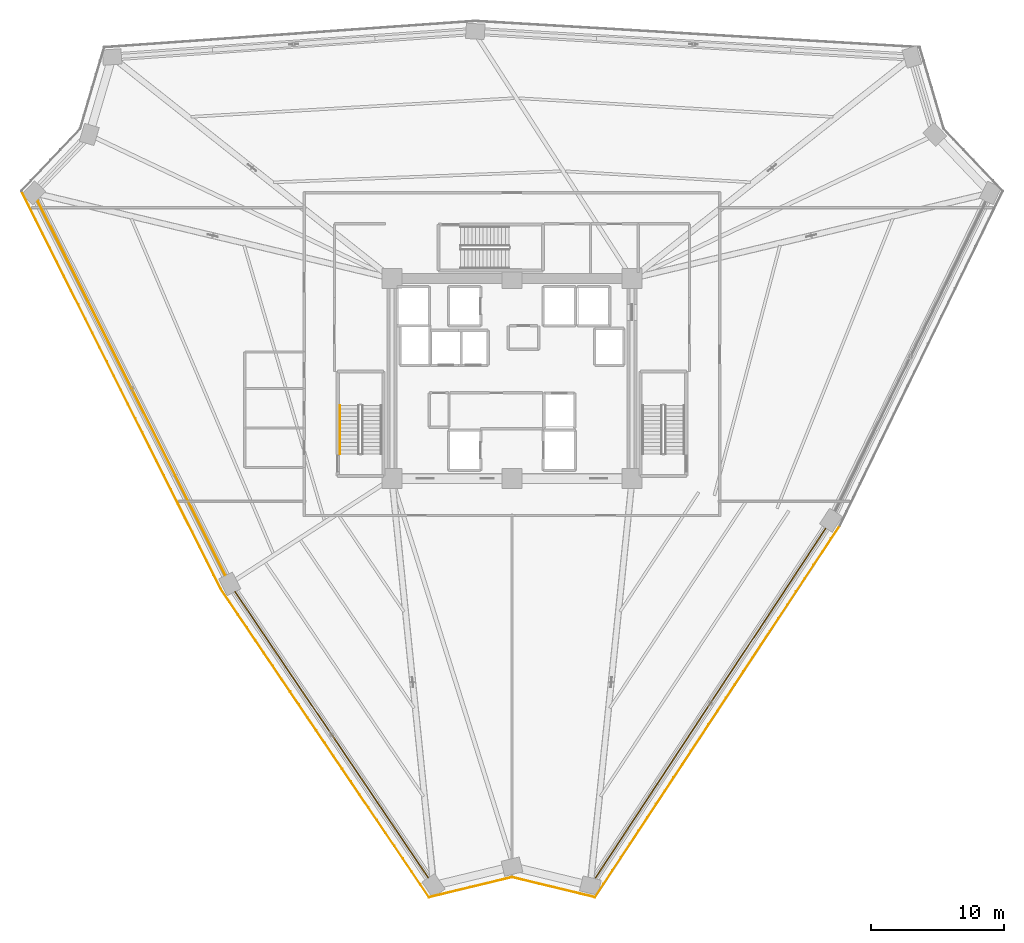
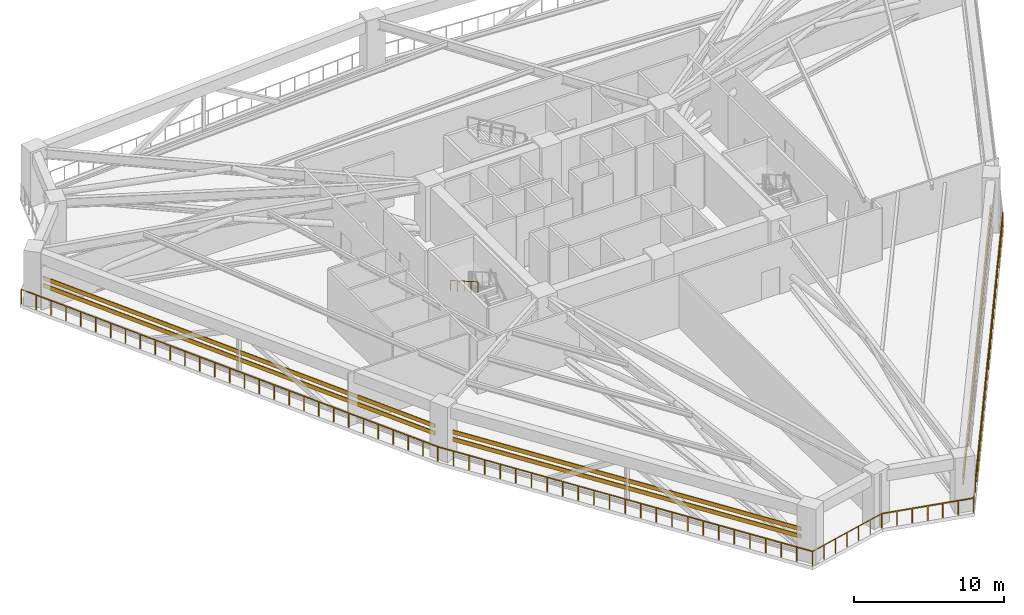
# One storey, part 19 of 23: 6 railings, 6 shading devices.
"""IFC4 building model written with IfcOpenShell, lengths in metres."""

from ifc_helpers import new_model, si_unit, direction, frame, origin, origin_2d, place, context, subcontext, project, spatial, rectangle, extrude, source, transform, mapped, material, material_profile, profile_set, type_object, element, save


model = new_model("IFC4")

# Units and contexts
model_context = context("Model", 3, precision=1e-05, world=origin(), true_north=direction((0.0, 1.0)))
body_context = subcontext(model_context, "Body", "Model", "MODEL_VIEW")
ifc_project = project(units=[si_unit("LENGTHUNIT", "METRE"), si_unit("AREAUNIT", "SQUARE_METRE"), si_unit("VOLUMEUNIT", "CUBIC_METRE"), si_unit("PLANEANGLEUNIT", "RADIAN"), si_unit("MASSUNIT", "GRAM", prefix="KILO")], contexts=[model_context])

# Site, building, storey
site_placement = place(None, origin())
site = spatial("IfcSite", under=ifc_project, at=site_placement, CompositionType="ELEMENT")
building_placement = place(site_placement, origin())
building = spatial("IfcBuilding", under=site, at=building_placement, Name="Liaohun Quay Tower", CompositionType="ELEMENT")
storey_placement = place(building_placement, frame((0.0, 0.0, 139.5)))
storey = spatial("IfcBuildingStorey", under=building, at=storey_placement, Name="L36", CompositionType="ELEMENT", Elevation=139.5)

# Railings
ifc_material_1 = material(Name="Galvanised and powder-coated steel", Category="steel")
railing_type_1 = type_object("IfcRailingType", Name="RLG-GUARD-EXT", PredefinedType="GUARDRAIL", material=ifc_material_1)
railing_1_placement = place(storey_placement, frame((53.783935546875, 15.14111328125, 0.0)))
element("IfcRailing", 1, at=railing_1_placement, inside=storey, type_object=railing_type_1, Name="L36 Open Refuge Band Perimeter Guardrail 01", PredefinedType="GUARDRAIL", context=body_context, shape_type="SweptSolid", body=[
    extrude(rectangle(XDim=0.048095703125, YDim=0.048095703125, at=origin_2d()), frame((0.0, 0.0, 1.17578125), z_axis=(-0.55979188008, 0.828633242754, 0.0), x_axis=(-0.828633242754, -0.55979188008, 0.0)), (0.0, 0.0, 1.0), 27.8603515625),
    extrude(rectangle(XDim=0.0419921875, YDim=0.0419921875, at=origin_2d()), origin(), (0.0, 0.0, 1.0), 1.15185546875),
    extrude(rectangle(XDim=0.0419921875, YDim=0.0419921875, at=origin_2d()), frame((-0.64990234375, 0.9619140625, 0.0)), (0.0, 0.0, 1.0), 1.15185546875),
    extrude(rectangle(XDim=0.0419921875, YDim=0.0419921875, at=origin_2d()), frame((-1.299560546875, 1.923828125, 0.0)), (0.0, 0.0, 1.0), 1.15185546875),
    extrude(rectangle(XDim=0.0419921875, YDim=0.0419921875, at=origin_2d()), frame((-1.949462890625, 2.8857421875, 0.0)), (0.0, 0.0, 1.0), 1.15185546875),
    extrude(rectangle(XDim=0.0419921875, YDim=0.0419921875, at=origin_2d()), frame((-2.599365234375, 3.84765625, 0.0)), (0.0, 0.0, 1.0), 1.15185546875),
    extrude(rectangle(XDim=0.0419921875, YDim=0.0419921875, at=origin_2d()), frame((-3.249267578125, 4.8095703125, 0.0)), (0.0, 0.0, 1.0), 1.15185546875),
    extrude(rectangle(XDim=0.0419921875, YDim=0.0419921875, at=origin_2d()), frame((-3.89892578125, 5.771484375, 0.0)), (0.0, 0.0, 1.0), 1.15185546875),
    extrude(rectangle(XDim=0.0419921875, YDim=0.0419921875, at=origin_2d()), frame((-4.548828125, 6.7333984375, 0.0)), (0.0, 0.0, 1.0), 1.15185546875),
    extrude(rectangle(XDim=0.0419921875, YDim=0.0419921875, at=origin_2d()), frame((-5.19873046875, 7.6953125, 0.0)), (0.0, 0.0, 1.0), 1.15185546875),
    extrude(rectangle(XDim=0.0419921875, YDim=0.0419921875, at=origin_2d()), frame((-5.848388671875, 8.6572265625, 0.0)), (0.0, 0.0, 1.0), 1.15185546875),
    extrude(rectangle(XDim=0.0419921875, YDim=0.0419921875, at=origin_2d()), frame((-6.498291015625, 9.619140625, 0.0)), (0.0, 0.0, 1.0), 1.15185546875),
    extrude(rectangle(XDim=0.0419921875, YDim=0.0419921875, at=origin_2d()), frame((-7.148193359375, 10.5810546875, 0.0)), (0.0, 0.0, 1.0), 1.15185546875),
    extrude(rectangle(XDim=0.0419921875, YDim=0.0419921875, at=origin_2d()), frame((-7.7978515625, 11.54296875, 0.0)), (0.0, 0.0, 1.0), 1.15185546875),
    extrude(rectangle(XDim=0.0419921875, YDim=0.0419921875, at=origin_2d()), frame((-8.44775390625, 12.5048828125, 0.0)), (0.0, 0.0, 1.0), 1.15185546875),
    extrude(rectangle(XDim=0.0419921875, YDim=0.0419921875, at=origin_2d()), frame((-9.09765625, 13.466796875, 0.0)), (0.0, 0.0, 1.0), 1.15185546875),
    extrude(rectangle(XDim=0.0419921875, YDim=0.0419921875, at=origin_2d()), frame((-9.74755859375, 14.4287109375, 0.0)), (0.0, 0.0, 1.0), 1.15185546875),
    extrude(rectangle(XDim=0.0419921875, YDim=0.0419921875, at=origin_2d()), frame((-10.397216796875, 15.390625, 0.0)), (0.0, 0.0, 1.0), 1.15185546875),
    extrude(rectangle(XDim=0.0419921875, YDim=0.0419921875, at=origin_2d()), frame((-11.047119140625, 16.3525390625, 0.0)), (0.0, 0.0, 1.0), 1.15185546875),
    extrude(rectangle(XDim=0.0419921875, YDim=0.0419921875, at=origin_2d()), frame((-11.697021484375, 17.314453125, 0.0)), (0.0, 0.0, 1.0), 1.15185546875),
    extrude(rectangle(XDim=0.0419921875, YDim=0.0419921875, at=origin_2d()), frame((-12.3466796875, 18.2763671875, 0.0)), (0.0, 0.0, 1.0), 1.15185546875),
    extrude(rectangle(XDim=0.0419921875, YDim=0.0419921875, at=origin_2d()), frame((-12.99658203125, 19.23828125, 0.0)), (0.0, 0.0, 1.0), 1.15185546875),
    extrude(rectangle(XDim=0.0419921875, YDim=0.0419921875, at=origin_2d()), frame((-13.646484375, 20.2001953125, 0.0)), (0.0, 0.0, 1.0), 1.15185546875),
    extrude(rectangle(XDim=0.0419921875, YDim=0.0419921875, at=origin_2d()), frame((-14.29638671875, 21.162109375, 0.0)), (0.0, 0.0, 1.0), 1.15185546875),
    extrude(rectangle(XDim=0.0419921875, YDim=0.0419921875, at=origin_2d()), frame((-14.946044921875, 22.1240234375, 0.0)), (0.0, 0.0, 1.0), 1.15185546875),
    extrude(rectangle(XDim=0.0419921875, YDim=0.0419921875, at=origin_2d()), frame((-15.595947265625, 23.0859375, 0.0)), (0.0, 0.0, 1.0), 1.15185546875),
])
railing_2_placement = place(storey_placement, frame((38.18798828125, 38.22705078125, 0.0)))
element("IfcRailing", 2, at=railing_2_placement, inside=storey, type_object=railing_type_1, Name="L36 Open Refuge Band Perimeter Guardrail 02", PredefinedType="GUARDRAIL", context=body_context, shape_type="SweptSolid", body=[
    extrude(rectangle(XDim=0.048095703125, YDim=0.048095703125, at=origin_2d()), frame((0.0, 0.0, 1.17578125), z_axis=(-0.448112126303, 0.893977361156, 0.0), x_axis=(-0.893977361156, -0.448112126303, 0.0)), (0.0, 0.0, 1.0), 33.357666015625),
    extrude(rectangle(XDim=0.0419921875, YDim=0.0419921875, at=origin_2d()), origin(), (0.0, 0.0, 1.0), 1.15185546875),
    extrude(rectangle(XDim=0.0419921875, YDim=0.0419921875, at=origin_2d()), frame((-0.533935546875, 1.06494140625, 0.0)), (0.0, 0.0, 1.0), 1.15185546875),
    extrude(rectangle(XDim=0.0419921875, YDim=0.0419921875, at=origin_2d()), frame((-1.067626953125, 2.130126953125, 0.0)), (0.0, 0.0, 1.0), 1.15185546875),
    extrude(rectangle(XDim=0.0419921875, YDim=0.0419921875, at=origin_2d()), frame((-1.6015625, 3.195068359375, 0.0)), (0.0, 0.0, 1.0), 1.15185546875),
    extrude(rectangle(XDim=0.0419921875, YDim=0.0419921875, at=origin_2d()), frame((-2.135498046875, 4.26025390625, 0.0)), (0.0, 0.0, 1.0), 1.15185546875),
    extrude(rectangle(XDim=0.0419921875, YDim=0.0419921875, at=origin_2d()), frame((-2.669189453125, 5.3251953125, 0.0)), (0.0, 0.0, 1.0), 1.15185546875),
    extrude(rectangle(XDim=0.0419921875, YDim=0.0419921875, at=origin_2d()), frame((-3.203125, 6.39013671875, 0.0)), (0.0, 0.0, 1.0), 1.15185546875),
    extrude(rectangle(XDim=0.0419921875, YDim=0.0419921875, at=origin_2d()), frame((-3.737060546875, 7.455322265625, 0.0)), (0.0, 0.0, 1.0), 1.15185546875),
    extrude(rectangle(XDim=0.0419921875, YDim=0.0419921875, at=origin_2d()), frame((-4.270751953125, 8.520263671875, 0.0)), (0.0, 0.0, 1.0), 1.15185546875),
    extrude(rectangle(XDim=0.0419921875, YDim=0.0419921875, at=origin_2d()), frame((-4.8046875, 9.58544921875, 0.0)), (0.0, 0.0, 1.0), 1.15185546875),
    extrude(rectangle(XDim=0.0419921875, YDim=0.0419921875, at=origin_2d()), frame((-5.338623046875, 10.650390625, 0.0)), (0.0, 0.0, 1.0), 1.15185546875),
    extrude(rectangle(XDim=0.0419921875, YDim=0.0419921875, at=origin_2d()), frame((-5.872314453125, 11.71533203125, 0.0)), (0.0, 0.0, 1.0), 1.15185546875),
    extrude(rectangle(XDim=0.0419921875, YDim=0.0419921875, at=origin_2d()), frame((-6.40625, 12.780517578125, 0.0)), (0.0, 0.0, 1.0), 1.15185546875),
    extrude(rectangle(XDim=0.0419921875, YDim=0.0419921875, at=origin_2d()), frame((-6.940185546875, 13.845458984375, 0.0)), (0.0, 0.0, 1.0), 1.15185546875),
    extrude(rectangle(XDim=0.0419921875, YDim=0.0419921875, at=origin_2d()), frame((-7.47412109375, 14.91064453125, 0.0)), (0.0, 0.0, 1.0), 1.15185546875),
    extrude(rectangle(XDim=0.0419921875, YDim=0.0419921875, at=origin_2d()), frame((-8.0078125, 15.9755859375, 0.0)), (0.0, 0.0, 1.0), 1.15185546875),
    extrude(rectangle(XDim=0.0419921875, YDim=0.0419921875, at=origin_2d()), frame((-8.541748046875, 17.04052734375, 0.0)), (0.0, 0.0, 1.0), 1.15185546875),
    extrude(rectangle(XDim=0.0419921875, YDim=0.0419921875, at=origin_2d()), frame((-9.07568359375, 18.105712890625, 0.0)), (0.0, 0.0, 1.0), 1.15185546875),
    extrude(rectangle(XDim=0.0419921875, YDim=0.0419921875, at=origin_2d()), frame((-9.609375, 19.170654296875, 0.0)), (0.0, 0.0, 1.0), 1.15185546875),
    extrude(rectangle(XDim=0.0419921875, YDim=0.0419921875, at=origin_2d()), frame((-10.143310546875, 20.235595703125, 0.0)), (0.0, 0.0, 1.0), 1.15185546875),
    extrude(rectangle(XDim=0.0419921875, YDim=0.0419921875, at=origin_2d()), frame((-10.67724609375, 21.30078125, 0.0)), (0.0, 0.0, 1.0), 1.15185546875),
    extrude(rectangle(XDim=0.0419921875, YDim=0.0419921875, at=origin_2d()), frame((-11.2109375, 22.36572265625, 0.0)), (0.0, 0.0, 1.0), 1.15185546875),
    extrude(rectangle(XDim=0.0419921875, YDim=0.0419921875, at=origin_2d()), frame((-11.744873046875, 23.430908203125, 0.0)), (0.0, 0.0, 1.0), 1.15185546875),
    extrude(rectangle(XDim=0.0419921875, YDim=0.0419921875, at=origin_2d()), frame((-12.27880859375, 24.495849609375, 0.0)), (0.0, 0.0, 1.0), 1.15185546875),
    extrude(rectangle(XDim=0.0419921875, YDim=0.0419921875, at=origin_2d()), frame((-12.8125, 25.560791015625, 0.0)), (0.0, 0.0, 1.0), 1.15185546875),
    extrude(rectangle(XDim=0.0419921875, YDim=0.0419921875, at=origin_2d()), frame((-13.346435546875, 26.6259765625, 0.0)), (0.0, 0.0, 1.0), 1.15185546875),
    extrude(rectangle(XDim=0.0419921875, YDim=0.0419921875, at=origin_2d()), frame((-13.88037109375, 27.69091796875, 0.0)), (0.0, 0.0, 1.0), 1.15185546875),
    extrude(rectangle(XDim=0.0419921875, YDim=0.0419921875, at=origin_2d()), frame((-14.4140625, 28.756103515625, 0.0)), (0.0, 0.0, 1.0), 1.15185546875),
    extrude(rectangle(XDim=0.0419921875, YDim=0.0419921875, at=origin_2d()), frame((-14.947998046875, 29.821044921875, 0.0)), (0.0, 0.0, 1.0), 1.15185546875),
])
railing_3_placement = place(storey_placement, frame((84.56494140625, 42.998046875, 0.0)))
element("IfcRailing", 3, at=railing_3_placement, inside=storey, type_object=railing_type_1, Name="L36 Open Refuge Band Perimeter Guardrail 10", PredefinedType="GUARDRAIL", context=body_context, shape_type="SweptSolid", body=[
    extrude(rectangle(XDim=0.048095703125, YDim=0.048095703125, at=origin_2d()), frame((0.0, 0.0, 1.17578125), z_axis=(-0.550096027174, -0.835101407547, 0.0), x_axis=(0.835101407547, -0.550096027174, 0.0)), (0.0, 0.0, 1.0), 33.357666015625),
    extrude(rectangle(XDim=0.0419921875, YDim=0.0419921875, at=origin_2d()), origin(), (0.0, 0.0, 1.0), 1.15185546875),
    extrude(rectangle(XDim=0.0419921875, YDim=0.0419921875, at=origin_2d()), frame((-0.6552734375, -0.994873046875, 0.0)), (0.0, 0.0, 1.0), 1.15185546875),
    extrude(rectangle(XDim=0.0419921875, YDim=0.0419921875, at=origin_2d()), frame((-1.310791015625, -1.98974609375, 0.0)), (0.0, 0.0, 1.0), 1.15185546875),
    extrude(rectangle(XDim=0.0419921875, YDim=0.0419921875, at=origin_2d()), frame((-1.966064453125, -2.984619140625, 0.0)), (0.0, 0.0, 1.0), 1.15185546875),
    extrude(rectangle(XDim=0.0419921875, YDim=0.0419921875, at=origin_2d()), frame((-2.621337890625, -3.9794921875, 0.0)), (0.0, 0.0, 1.0), 1.15185546875),
    extrude(rectangle(XDim=0.0419921875, YDim=0.0419921875, at=origin_2d()), frame((-3.27685546875, -4.974365234375, 0.0)), (0.0, 0.0, 1.0), 1.15185546875),
    extrude(rectangle(XDim=0.0419921875, YDim=0.0419921875, at=origin_2d()), frame((-3.93212890625, -5.96923828125, 0.0)), (0.0, 0.0, 1.0), 1.15185546875),
    extrude(rectangle(XDim=0.0419921875, YDim=0.0419921875, at=origin_2d()), frame((-4.58740234375, -6.96435546875, 0.0)), (0.0, 0.0, 1.0), 1.15185546875),
    extrude(rectangle(XDim=0.0419921875, YDim=0.0419921875, at=origin_2d()), frame((-5.242919921875, -7.959228515625, 0.0)), (0.0, 0.0, 1.0), 1.15185546875),
    extrude(rectangle(XDim=0.0419921875, YDim=0.0419921875, at=origin_2d()), frame((-5.898193359375, -8.9541015625, 0.0)), (0.0, 0.0, 1.0), 1.15185546875),
    extrude(rectangle(XDim=0.0419921875, YDim=0.0419921875, at=origin_2d()), frame((-6.553466796875, -9.948974609375, 0.0)), (0.0, 0.0, 1.0), 1.15185546875),
    extrude(rectangle(XDim=0.0419921875, YDim=0.0419921875, at=origin_2d()), frame((-7.208984375, -10.94384765625, 0.0)), (0.0, 0.0, 1.0), 1.15185546875),
    extrude(rectangle(XDim=0.0419921875, YDim=0.0419921875, at=origin_2d()), frame((-7.8642578125, -11.938720703125, 0.0)), (0.0, 0.0, 1.0), 1.15185546875),
    extrude(rectangle(XDim=0.0419921875, YDim=0.0419921875, at=origin_2d()), frame((-8.51953125, -12.93359375, 0.0)), (0.0, 0.0, 1.0), 1.15185546875),
    extrude(rectangle(XDim=0.0419921875, YDim=0.0419921875, at=origin_2d()), frame((-9.1748046875, -13.928466796875, 0.0)), (0.0, 0.0, 1.0), 1.15185546875),
    extrude(rectangle(XDim=0.0419921875, YDim=0.0419921875, at=origin_2d()), frame((-9.830322265625, -14.92333984375, 0.0)), (0.0, 0.0, 1.0), 1.15185546875),
    extrude(rectangle(XDim=0.0419921875, YDim=0.0419921875, at=origin_2d()), frame((-10.485595703125, -15.918212890625, 0.0)), (0.0, 0.0, 1.0), 1.15185546875),
    extrude(rectangle(XDim=0.0419921875, YDim=0.0419921875, at=origin_2d()), frame((-11.140869140625, -16.9130859375, 0.0)), (0.0, 0.0, 1.0), 1.15185546875),
    extrude(rectangle(XDim=0.0419921875, YDim=0.0419921875, at=origin_2d()), frame((-11.79638671875, -17.907958984375, 0.0)), (0.0, 0.0, 1.0), 1.15185546875),
    extrude(rectangle(XDim=0.0419921875, YDim=0.0419921875, at=origin_2d()), frame((-12.45166015625, -18.90283203125, 0.0)), (0.0, 0.0, 1.0), 1.15185546875),
    extrude(rectangle(XDim=0.0419921875, YDim=0.0419921875, at=origin_2d()), frame((-13.10693359375, -19.897705078125, 0.0)), (0.0, 0.0, 1.0), 1.15185546875),
    extrude(rectangle(XDim=0.0419921875, YDim=0.0419921875, at=origin_2d()), frame((-13.762451171875, -20.892578125, 0.0)), (0.0, 0.0, 1.0), 1.15185546875),
    extrude(rectangle(XDim=0.0419921875, YDim=0.0419921875, at=origin_2d()), frame((-14.417724609375, -21.8876953125, 0.0)), (0.0, 0.0, 1.0), 1.15185546875),
    extrude(rectangle(XDim=0.0419921875, YDim=0.0419921875, at=origin_2d()), frame((-15.072998046875, -22.882568359375, 0.0)), (0.0, 0.0, 1.0), 1.15185546875),
    extrude(rectangle(XDim=0.0419921875, YDim=0.0419921875, at=origin_2d()), frame((-15.728515625, -23.87744140625, 0.0)), (0.0, 0.0, 1.0), 1.15185546875),
    extrude(rectangle(XDim=0.0419921875, YDim=0.0419921875, at=origin_2d()), frame((-16.3837890625, -24.872314453125, 0.0)), (0.0, 0.0, 1.0), 1.15185546875),
    extrude(rectangle(XDim=0.0419921875, YDim=0.0419921875, at=origin_2d()), frame((-17.0390625, -25.8671875, 0.0)), (0.0, 0.0, 1.0), 1.15185546875),
    extrude(rectangle(XDim=0.0419921875, YDim=0.0419921875, at=origin_2d()), frame((-17.694580078125, -26.862060546875, 0.0)), (0.0, 0.0, 1.0), 1.15185546875),
    extrude(rectangle(XDim=0.0419921875, YDim=0.0419921875, at=origin_2d()), frame((-18.349853515625, -27.85693359375, 0.0)), (0.0, 0.0, 1.0), 1.15185546875),
])
railing_4_placement = place(storey_placement, frame((66.215087890625, 15.14111328125, 0.0)))
element("IfcRailing", 4, at=railing_4_placement, inside=storey, type_object=railing_type_1, Name="L36 Open Refuge Band Perimeter Guardrail 11", PredefinedType="GUARDRAIL", context=body_context, shape_type="SweptSolid", body=[
    extrude(rectangle(XDim=0.048095703125, YDim=0.048095703125, at=origin_2d()), frame((0.0, 0.0, 1.17578125), z_axis=(-0.972054271472, 0.234756242331, 0.0), x_axis=(-0.234756242331, -0.972054271472, 0.0)), (0.0, 0.0, 1.0), 6.393798828125),
    extrude(rectangle(XDim=0.0419921875, YDim=0.0419921875, at=origin_2d()), origin(), (0.0, 0.0, 1.0), 1.15185546875),
    extrude(rectangle(XDim=0.0419921875, YDim=0.0419921875, at=origin_2d()), frame((-1.035888671875, 0.250244140625, 0.0)), (0.0, 0.0, 1.0), 1.15185546875),
    extrude(rectangle(XDim=0.0419921875, YDim=0.0419921875, at=origin_2d()), frame((-2.07177734375, 0.500244140625, 0.0)), (0.0, 0.0, 1.0), 1.15185546875),
    extrude(rectangle(XDim=0.0419921875, YDim=0.0419921875, at=origin_2d()), frame((-3.107421875, 0.75048828125, 0.0)), (0.0, 0.0, 1.0), 1.15185546875),
    extrude(rectangle(XDim=0.0419921875, YDim=0.0419921875, at=origin_2d()), frame((-4.143310546875, 1.000732421875, 0.0)), (0.0, 0.0, 1.0), 1.15185546875),
    extrude(rectangle(XDim=0.0419921875, YDim=0.0419921875, at=origin_2d()), frame((-5.17919921875, 1.250732421875, 0.0)), (0.0, 0.0, 1.0), 1.15185546875),
    extrude(rectangle(XDim=0.0419921875, YDim=0.0419921875, at=origin_2d()), frame((-6.215087890625, 1.5009765625, 0.0)), (0.0, 0.0, 1.0), 1.15185546875),
])
railing_5_placement = place(storey_placement, frame((60.0, 16.64208984375, 0.0)))
element("IfcRailing", 5, at=railing_5_placement, inside=storey, type_object=railing_type_1, Name="L36 Open Refuge Band Perimeter Guardrail 12", PredefinedType="GUARDRAIL", context=body_context, shape_type="SweptSolid", body=[
    extrude(rectangle(XDim=0.048095703125, YDim=0.048095703125, at=origin_2d()), frame((0.0, 0.0, 1.17578125), z_axis=(-0.97206268699, -0.234721393489, 0.0), x_axis=(0.234721393489, -0.97206268699, 0.0)), (0.0, 0.0, 1.0), 6.394775390625),
    extrude(rectangle(XDim=0.0419921875, YDim=0.0419921875, at=origin_2d()), origin(), (0.0, 0.0, 1.0), 1.15185546875),
    extrude(rectangle(XDim=0.0419921875, YDim=0.0419921875, at=origin_2d()), frame((-1.0361328125, -0.250244140625, 0.0)), (0.0, 0.0, 1.0), 1.15185546875),
    extrude(rectangle(XDim=0.0419921875, YDim=0.0419921875, at=origin_2d()), frame((-2.072021484375, -0.500244140625, 0.0)), (0.0, 0.0, 1.0), 1.15185546875),
    extrude(rectangle(XDim=0.0419921875, YDim=0.0419921875, at=origin_2d()), frame((-3.10791015625, -0.75048828125, 0.0)), (0.0, 0.0, 1.0), 1.15185546875),
    extrude(rectangle(XDim=0.0419921875, YDim=0.0419921875, at=origin_2d()), frame((-4.14404296875, -1.000732421875, 0.0)), (0.0, 0.0, 1.0), 1.15185546875),
    extrude(rectangle(XDim=0.0419921875, YDim=0.0419921875, at=origin_2d()), frame((-5.18017578125, -1.250732421875, 0.0)), (0.0, 0.0, 1.0), 1.15185546875),
    extrude(rectangle(XDim=0.0419921875, YDim=0.0419921875, at=origin_2d()), frame((-6.216064453125, -1.5009765625, 0.0)), (0.0, 0.0, 1.0), 1.15185546875),
])
ifc_material_2 = material(Name="Brushed stainless steel", Category="steel")
railing_type_2 = type_object("IfcRailingType", Name="RLG-HND-STR", PredefinedType="HANDRAIL", material=ifc_material_2)
railing_6_placement = place(storey_placement, frame((47.1201171875, 51.989990234375, 2.41064453125)))
element("IfcRailing", 6, at=railing_6_placement, inside=storey, type_object=railing_type_2, Name="L36 ST-1 stair handrail 2", PredefinedType="HANDRAIL", context=body_context, shape_type="SweptSolid", body=[
    extrude(rectangle(XDim=0.048095703125, YDim=0.048095703125, at=origin_2d()), frame((0.0, 0.0, 0.8759765625), z_axis=(0.0, -0.8672749571, 0.497829437445), x_axis=(1.0, 0.0, 0.0)), (0.0, 0.0, 1.0), 4.197021484375),
    extrude(rectangle(XDim=0.0419921875, YDim=0.0419921875, at=origin_2d()), origin(), (0.0, 0.0, 1.0), 0.851806640625),
    extrude(rectangle(XDim=0.0419921875, YDim=0.0419921875, at=origin_2d()), frame((0.0, -0.909912109375, 0.5224609375)), (0.0, 0.0, 1.0), 0.851806640625),
    extrude(rectangle(XDim=0.0419921875, YDim=0.0419921875, at=origin_2d()), frame((0.0, -1.81982421875, 1.044677734375)), (0.0, 0.0, 1.0), 0.851806640625),
    extrude(rectangle(XDim=0.0419921875, YDim=0.0419921875, at=origin_2d()), frame((0.0, -2.72998046875, 1.56689453125)), (0.0, 0.0, 1.0), 0.851806640625),
    extrude(rectangle(XDim=0.0419921875, YDim=0.0419921875, at=origin_2d()), frame((0.0, -3.639892578125, 2.08935546875)), (0.0, 0.0, 1.0), 0.851806640625),
])

# Shading devices
ifc_material_3 = material(Name="Fluorocarbon-coated aluminium", Category="aluminium")
ifc_material_profile = material_profile(ifc_material_3, rectangle(XDim=0.06494140625, YDim=0.320068359375, at=origin_2d()), Name="ALU-LVR-320x65")
ifc_profile_set = profile_set([ifc_material_profile], Name="Fluorocarbon-coated aluminium")
shading_device_type = type_object("IfcShadingDeviceType", Name="SHD-LVR-REF", PredefinedType="USERDEFINED", material=ifc_profile_set)
shared_shape_1 = source(origin(), body_context, "Body", "SweptSolid", [
    extrude(rectangle(XDim=0.06494140625, YDim=0.320068359375, at=origin_2d()), origin(), (0.0, 0.0, 1.0), 25.896240234375),
])
for number, where, z_axis, x_axis, name in (
    (7, (53.737060546875, 16.5869140625, 1.550048828125), (-0.559815425721, 0.828617335761, 0.0), (-0.828617335761, -0.559815425721, 0.0), "L36 Refuge Plant Acoustic Louvre Blade LV-1-01"),
    (8, (53.737060546875, 16.5869140625, 2.14990234375), (-0.559815425721, 0.828617335761, 0.0), (-0.828617335761, -0.559815425721, 0.0), "L36 Refuge Plant Acoustic Louvre Blade LV-1-02"),
):
    element("IfcShadingDevice", number, at=place(storey_placement, frame(where, z_axis=z_axis, x_axis=x_axis)), inside=storey, type_object=shading_device_type, Name=name, ObjectType="LOUVRE", PredefinedType="USERDEFINED", context=body_context, shape_type="MappedRepresentation", body=[
        mapped(shared_shape_1, transform((0.0, 0.0, 0.0), x_axis=(1.0, 0.0, 0.0), y_axis=(0.0, 1.0, 0.0), z_axis=(0.0, 0.0, 1.0), scale=1.0)),
    ])
shared_shape_2 = source(origin(), body_context, "Body", "SweptSolid", [
    extrude(rectangle(XDim=0.06494140625, YDim=0.320068359375, at=origin_2d()), origin(), (0.0, 0.0, 1.0), 31.385986328125),
])
for number, where, z_axis, x_axis, name in (
    (9, (38.544921875, 39.23388671875, 1.550048828125), (-0.44812813106, 0.893969338486, 0.0), (-0.893969338486, -0.44812813106, 0.0), "L36 Refuge Plant Acoustic Louvre Blade LV-1-03"),
    (10, (38.544921875, 39.23388671875, 2.14990234375), (-0.44812813106, 0.893969338486, 0.0), (-0.893969338486, -0.44812813106, 0.0), "L36 Refuge Plant Acoustic Louvre Blade LV-1-04"),
):
    element("IfcShadingDevice", number, at=place(storey_placement, frame(where, z_axis=z_axis, x_axis=x_axis)), inside=storey, type_object=shading_device_type, Name=name, ObjectType="LOUVRE", PredefinedType="USERDEFINED", context=body_context, shape_type="MappedRepresentation", body=[
        mapped(shared_shape_2, transform((0.0, 0.0, 0.0), x_axis=(1.0, 0.0, 0.0), y_axis=(0.0, 1.0, 0.0), z_axis=(0.0, 0.0, 1.0), scale=1.0)),
    ])
shared_shape_3 = source(origin(), body_context, "Body", "SweptSolid", [
    extrude(rectangle(XDim=0.06494140625, YDim=0.320068359375, at=origin_2d()), origin(), (0.0, 0.0, 1.0), 31.38623046875),
])
for number, where, z_axis, x_axis, name in (
    (11, (83.514892578125, 42.803955078125, 1.550048828125), (-0.550080155958, -0.835111861981, 0.0), (0.835111861981, -0.550080155958, 0.0), "L36 Refuge Plant Acoustic Louvre Blade LV-1-07"),
    (12, (83.514892578125, 42.803955078125, 2.14990234375), (-0.550080155958, -0.835111861981, 0.0), (0.835111861981, -0.550080155958, 0.0), "L36 Refuge Plant Acoustic Louvre Blade LV-1-08"),
):
    element("IfcShadingDevice", number, at=place(storey_placement, frame(where, z_axis=z_axis, x_axis=x_axis)), inside=storey, type_object=shading_device_type, Name=name, ObjectType="LOUVRE", PredefinedType="USERDEFINED", context=body_context, shape_type="MappedRepresentation", body=[
        mapped(shared_shape_3, transform((0.0, 0.0, 0.0), x_axis=(1.0, 0.0, 0.0), y_axis=(0.0, 1.0, 0.0), z_axis=(0.0, 0.0, 1.0), scale=1.0)),
    ])

save(model, "model.ifc")
